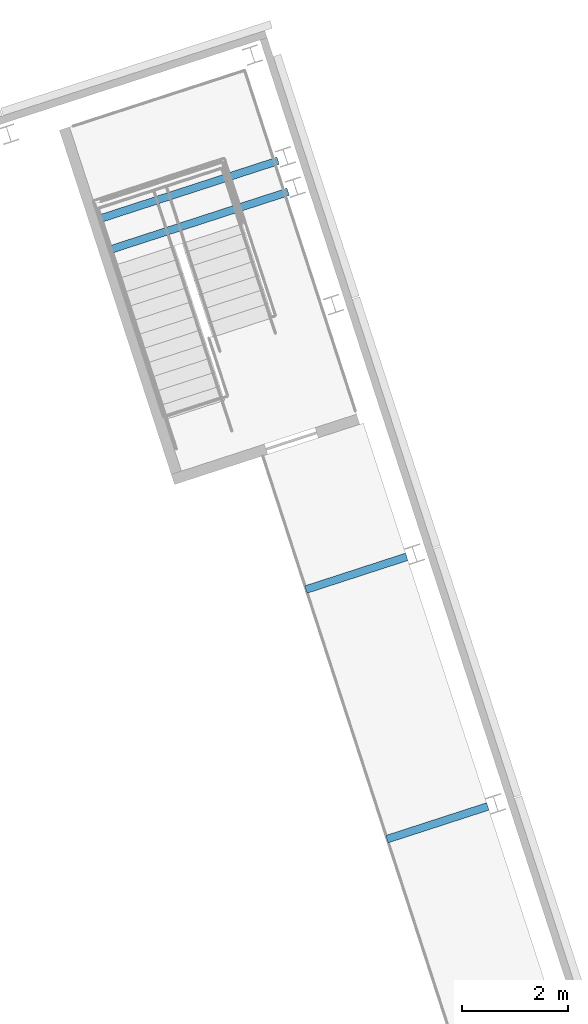
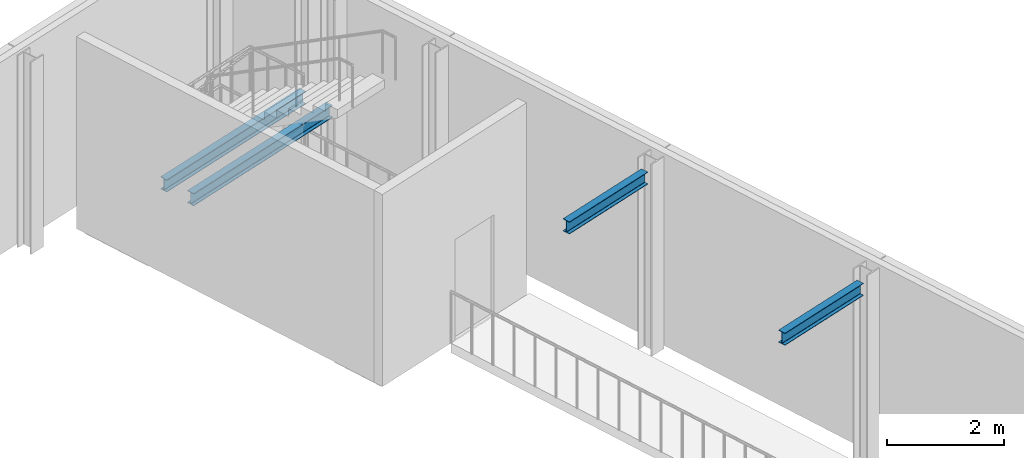
# One storey, part 26 of 81: 4 beams.
"""IFC4 building model written with IfcOpenShell, lengths in metres."""

from ifc_helpers import new_model, si_unit, direction, frame, origin, origin_2d, place, context, subcontext, project, spatial, i_section, extrude, material, material_profile, profile_set, type_object, element, save


model = new_model("IFC4")

# Units and contexts
model_context = context("Model", 3, precision=1e-05, world=origin(), true_north=direction((0.0, 1.0)))
body_context = subcontext(model_context, "Body", "Model", "MODEL_VIEW")
ifc_project = project(units=[si_unit("LENGTHUNIT", "METRE"), si_unit("AREAUNIT", "SQUARE_METRE"), si_unit("VOLUMEUNIT", "CUBIC_METRE"), si_unit("PLANEANGLEUNIT", "RADIAN"), si_unit("MASSUNIT", "GRAM", prefix="KILO")], contexts=[model_context])

# Site, building, storey
site_placement = place(None, origin())
site = spatial("IfcSite", under=ifc_project, at=site_placement, CompositionType="ELEMENT")
building_placement = place(site_placement, origin())
building = spatial("IfcBuilding", under=site, at=building_placement, Name="Tuart Plaza Theatre", CompositionType="ELEMENT")
storey_placement = place(building_placement, frame((0.0, 0.0, 17.5)))
storey = spatial("IfcBuildingStorey", under=building, at=storey_placement, Name="L04", CompositionType="ELEMENT", Elevation=17.5)

# Beams
ifc_material = material(Name="Steel Grade 300", Category="steel")
ifc_material_profile = material_profile(ifc_material, i_section(OverallWidth=0.14599609375, OverallDepth=0.256103515625, WebThickness=0.00634765625, FlangeThickness=0.010986328125, FilletRadius=0.0087890625, at=origin_2d()), Name="250UB37.3")
ifc_profile_set = profile_set([ifc_material_profile], Name="Steel Grade 300")
beam_type = type_object("IfcBeamType", Name="BEAM 250UB37.3", PredefinedType="BEAM", material=ifc_profile_set)
beam_1_placement = place(storey_placement, frame((59.861572265625, 93.521484375, 1.672119140625), z_axis=(0.951046215796, 0.309048694255, 0.0), x_axis=(-0.309048694255, 0.951046215796, 0.0)))
element("IfcBeam", 1, at=beam_1_placement, inside=storey, type_object=beam_type, Name="SB49", PredefinedType="BEAM", context=body_context, shape_type="SweptSolid", body=[
    extrude(i_section(OverallWidth=0.14599609375, OverallDepth=0.256103515625, WebThickness=0.00634765625, FlangeThickness=0.010986328125, FilletRadius=0.0087890625, at=origin_2d()), origin(), (0.0, 0.0, 1.0), 3.544677734375),
])
beam_2_placement = place(storey_placement, frame((60.0517578125, 92.936767578125, 1.672119140625), z_axis=(0.951059881727, 0.309006636447, 0.0), x_axis=(-0.309006636447, 0.951059881727, 0.0)))
element("IfcBeam", 2, at=beam_2_placement, inside=storey, type_object=beam_type, Name="SB50", PredefinedType="BEAM", context=body_context, shape_type="SweptSolid", body=[
    extrude(i_section(OverallWidth=0.14599609375, OverallDepth=0.256103515625, WebThickness=0.00634765625, FlangeThickness=0.010986328125, FilletRadius=0.0087890625, at=origin_2d()), origin(), (0.0, 0.0, 1.0), 3.544189453125),
])
for number, where, z_axis, x_axis, name in (
    (3, (67.188720703125, 82.44091796875, 3.672119140625), (-0.951072636193, -0.308967378027, 0.0), (0.308967378027, -0.951072636193, 0.0), "SB97"),
    (4, (65.6591796875, 87.148681640625, 3.672119140625), (-0.951072636193, -0.308967378027, 0.0), (0.308967378027, -0.951072636193, 0.0), "SB98"),
):
    element("IfcBeam", number, at=place(storey_placement, frame(where, z_axis=z_axis, x_axis=x_axis)), inside=storey, type_object=beam_type, Name=name, PredefinedType="BEAM", context=body_context, shape_type="SweptSolid", body=[
        extrude(i_section(OverallWidth=0.14599609375, OverallDepth=0.256103515625, WebThickness=0.00634765625, FlangeThickness=0.010986328125, FilletRadius=0.0087890625, at=origin_2d()), origin(), (0.0, 0.0, 1.0), 2.0),
    ])

save(model, "model.ifc")
